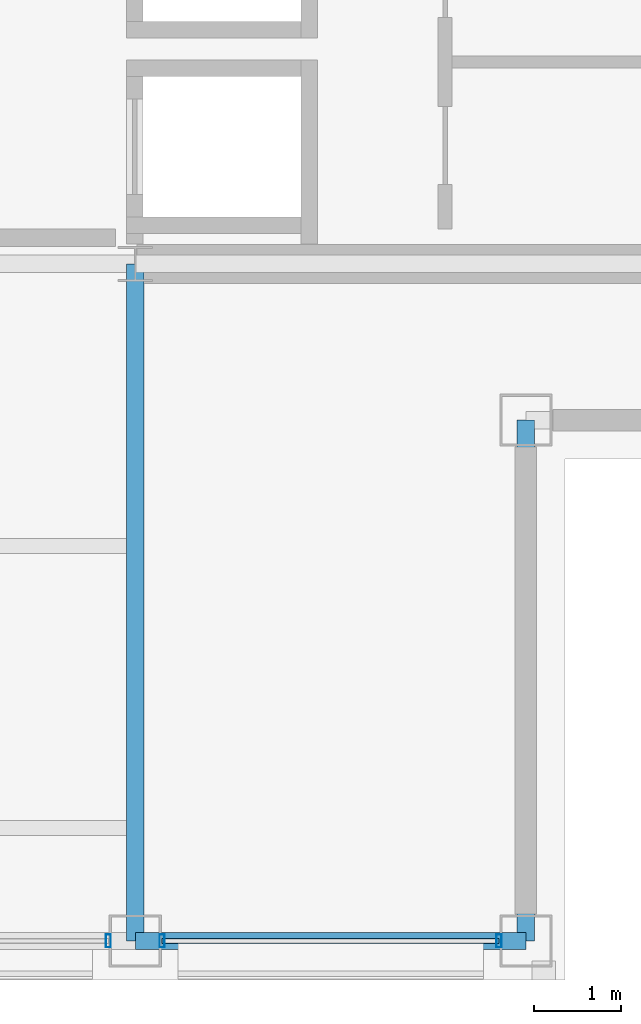
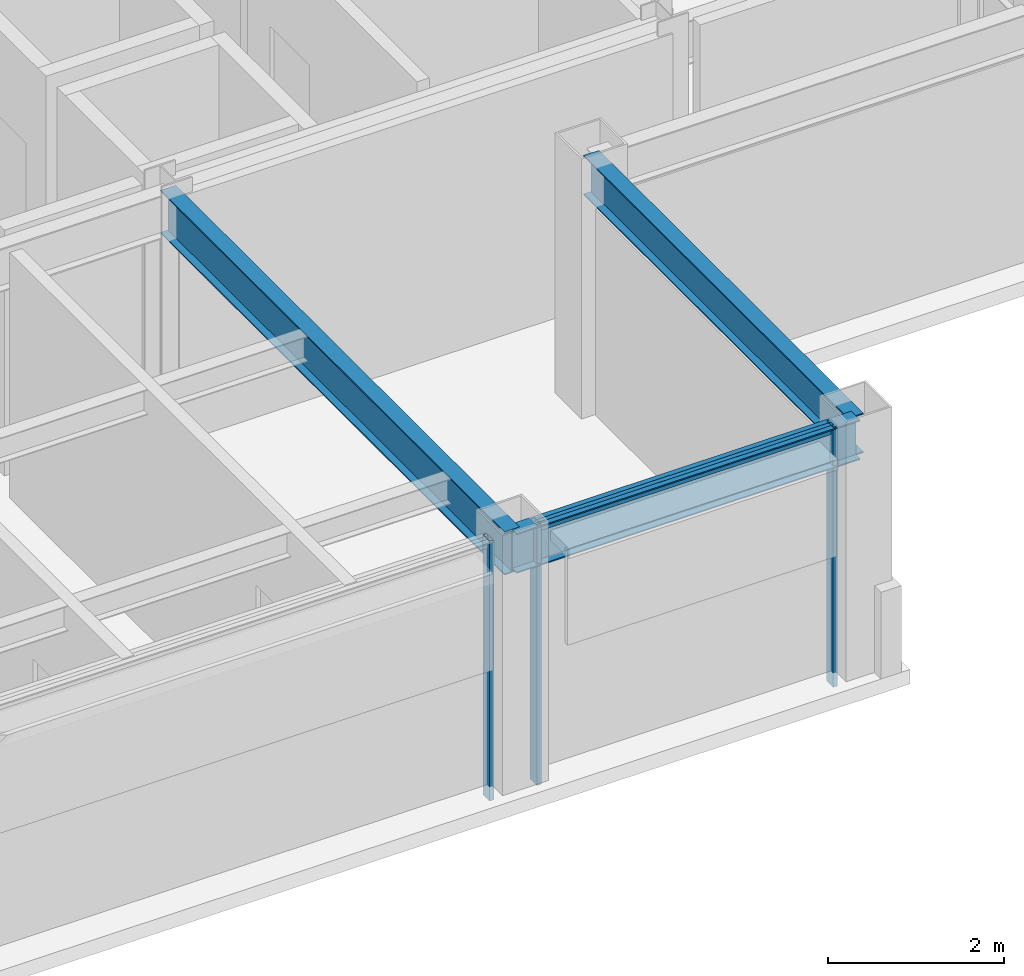
# One storey, part 4 of 20: 4 members, 3 beams, 2 elements without a shape of their own.
"""IFC4 building model written with IfcOpenShell, lengths in metres."""

from ifc_helpers import new_model, si_unit, direction, frame, origin, origin_2d, place, context, subcontext, project, spatial, hollow_rectangle, i_section, extrude, material, layer, layer_set, material_profile, profile_set, type_object, element, aggregate, save


model = new_model("IFC4")

# Units and contexts
model_context = context("Model", 3, precision=1e-05, world=origin(), true_north=direction((0.0, 1.0)))
body_context = subcontext(model_context, "Body", "Model", "MODEL_VIEW")
ifc_project = project(units=[si_unit("LENGTHUNIT", "METRE"), si_unit("AREAUNIT", "SQUARE_METRE"), si_unit("VOLUMEUNIT", "CUBIC_METRE"), si_unit("PLANEANGLEUNIT", "RADIAN"), si_unit("MASSUNIT", "GRAM", prefix="KILO")], contexts=[model_context])

# Site, building, storey
site_placement = place(None, origin())
site = spatial("IfcSite", under=ifc_project, at=site_placement, CompositionType="ELEMENT")
building_placement = place(site_placement, origin())
building = spatial("IfcBuilding", under=site, at=building_placement, Name="Brelmoor Portico Tower", CompositionType="ELEMENT")
storey_placement = place(building_placement, frame((0.0, 0.0, 272.39990234375)))
storey = spatial("IfcBuildingStorey", under=building, at=storey_placement, Name="L72", CompositionType="ELEMENT", Elevation=272.39990234375)

# Beams
ifc_material_1 = material(Name="Steel Q355B", Category="steel")
ifc_material_profile_1 = material_profile(ifc_material_1, i_section(OverallWidth=0.199951171875, OverallDepth=0.60009765625, WebThickness=0.010986328125, FlangeThickness=0.01708984375, at=origin_2d()), Name="HN 600x200x11x17")
ifc_profile_set_1 = profile_set([ifc_material_profile_1], Name="Steel Q355B")
beam_type_1 = type_object("IfcBeamType", Name="BM-PG-600", PredefinedType="BEAM", material=ifc_profile_set_1)
beam_1_placement = place(storey_placement, frame((8.050048828125, -17.550048828125, 3.10009765625), z_axis=(0.0, 1.0, 0.0), x_axis=(-1.0, 0.0, 0.0)))
element("IfcBeam", 1, at=beam_1_placement, inside=storey, type_object=beam_type_1, Name="L72 Primary Floor Girder PG-06", PredefinedType="BEAM", context=body_context, shape_type="SweptSolid", body=[
    extrude(i_section(OverallWidth=0.199951171875, OverallDepth=0.60009765625, WebThickness=0.010986328125, FlangeThickness=0.01708984375, at=origin_2d()), origin(), (0.0, 0.0, 1.0), 7.800048828125),
])
ifc_material_profile_2 = material_profile(ifc_material_1, i_section(OverallWidth=0.199951171875, OverallDepth=0.550048828125, WebThickness=0.010009765625, FlangeThickness=0.01611328125, at=origin_2d()), Name="HN 550x200x10x16")
ifc_profile_set_2 = profile_set([ifc_material_profile_2], Name="Steel Q355B")
beam_type_2 = type_object("IfcBeamType", Name="BM-SP-550", PredefinedType="SPANDREL", material=ifc_profile_set_2)
beam_2_placement = place(storey_placement, frame((8.050048828125, -17.550048828125, 3.125), z_axis=(1.0, 0.0, 0.0), x_axis=(0.0, 1.0, 0.0)))
element("IfcBeam", 2, at=beam_2_placement, inside=storey, type_object=beam_type_2, Name="L72 Perimeter Spandrel Beam SP-03", PredefinedType="SPANDREL", context=body_context, shape_type="SweptSolid", body=[
    extrude(i_section(OverallWidth=0.199951171875, OverallDepth=0.550048828125, WebThickness=0.010009765625, FlangeThickness=0.01611328125, at=origin_2d()), origin(), (0.0, 0.0, 1.0), 4.5),
])
beam_3_placement = place(storey_placement, frame((12.550048828125, -17.550048828125, 3.125), z_axis=(0.0, 1.0, 0.0), x_axis=(-1.0, 0.0, 0.0)))
element("IfcBeam", 3, at=beam_3_placement, inside=storey, type_object=beam_type_2, Name="L72 Perimeter Spandrel Beam SP-16", PredefinedType="SPANDREL", context=body_context, shape_type="SweptSolid", body=[
    extrude(i_section(OverallWidth=0.199951171875, OverallDepth=0.550048828125, WebThickness=0.010009765625, FlangeThickness=0.01611328125, at=origin_2d()), origin(), (0.0, 0.0, 1.0), 6.0),
])

# Curtain wall, member
ifc_material_2 = material(Name="Anodised Aluminium Alloy 6063-T6", Category="aluminium")
ifc_layer = layer(ifc_material_2, 0.179931640625)
ifc_layer_set = layer_set([ifc_layer], Name="Anodised Aluminium Alloy 6063-T6")
curtain_wall_type = type_object("IfcCurtainWallType", Name="CW-TOWER-Z4-XB", PredefinedType="NOTDEFINED", material=ifc_layer_set)
curtain_wall_1_placement = place(storey_placement, origin())
curtain_wall_1 = element("IfcCurtainWall", 4, at=curtain_wall_1_placement, inside=storey, type_object=curtain_wall_type, Name="L72 Curtain Wall CW-L72-01-2", PredefinedType="NOTDEFINED")
ifc_material_profile_3 = material_profile(ifc_material_2, hollow_rectangle(XDim=0.06005859375, YDim=0.14990234375, WallThickness=0.00390625, at=origin_2d()), Name="ALU MULLION 60x150")
ifc_profile_set_3 = profile_set([ifc_material_profile_3], Name="Anodised Aluminium Alloy 6063-T6")
member_type_1 = type_object("IfcMemberType", Name="MB-CW-MULL-150", PredefinedType="MULLION", material=ifc_profile_set_3)
member_1_placement = place(storey_placement, frame((7.739990234375, -17.550048828125, -0.199951171875), z_axis=(0.0, 0.0, 1.0), x_axis=(1.0, 0.0, 0.0)))
member_1 = element("IfcMember", 5, at=member_1_placement, type_object=member_type_1, Name="CW-L72-01-2 Mullion 01", PredefinedType="MULLION", context=body_context, shape_type="SweptSolid", body=[
    extrude(hollow_rectangle(XDim=0.06005859375, YDim=0.14990234375, WallThickness=0.00390625, at=origin_2d()), origin(), (0.0, 0.0, 1.0), 3.60009765625),
])
aggregate(curtain_wall_1, [member_1])

# Curtain wall, members
curtain_wall_2_placement = place(storey_placement, origin())
curtain_wall_2 = element("IfcCurtainWall", 6, at=curtain_wall_2_placement, inside=storey, type_object=curtain_wall_type, Name="L72 Curtain Wall CW-L72-01-3", PredefinedType="NOTDEFINED")
member_2_placement = place(storey_placement, frame((8.360107421875, -17.550048828125, -0.199951171875), z_axis=(0.0, 0.0, 1.0), x_axis=(1.0, 0.0, 0.0)))
member_2 = element("IfcMember", 7, at=member_2_placement, type_object=member_type_1, Name="CW-L72-01-3 Mullion 00", PredefinedType="MULLION", context=body_context, shape_type="SweptSolid", body=[
    extrude(hollow_rectangle(XDim=0.06005859375, YDim=0.14990234375, WallThickness=0.00390625, at=origin_2d()), origin(), (0.0, 0.0, 1.0), 3.60009765625),
])
member_3_placement = place(storey_placement, frame((12.239990234375, -17.550048828125, -0.199951171875), z_axis=(0.0, 0.0, 1.0), x_axis=(1.0, 0.0, 0.0)))
member_3 = element("IfcMember", 8, at=member_3_placement, type_object=member_type_1, Name="CW-L72-01-3 Mullion 01", PredefinedType="MULLION", context=body_context, shape_type="SweptSolid", body=[
    extrude(hollow_rectangle(XDim=0.06005859375, YDim=0.14990234375, WallThickness=0.00390625, at=origin_2d()), origin(), (0.0, 0.0, 1.0), 3.60009765625),
])
ifc_material_profile_4 = material_profile(ifc_material_2, hollow_rectangle(XDim=0.06005859375, YDim=0.125, WallThickness=0.00341796875, at=origin_2d()), Name="ALU TRANSOM 60x125")
ifc_profile_set_4 = profile_set([ifc_material_profile_4], Name="Anodised Aluminium Alloy 6063-T6")
member_type_2 = type_object("IfcMemberType", Name="MB-CW-TRAN-125", PredefinedType="USERDEFINED", material=ifc_profile_set_4)
member_4_placement = place(storey_placement, frame((8.360107421875, -17.550048828125, 3.337646484375), z_axis=(1.0, 0.0, 0.0), x_axis=(0.0, 1.0, 0.0)))
member_4 = element("IfcMember", 9, at=member_4_placement, type_object=member_type_2, Name="CW-L72-01-3 Transom 1-00", ObjectType="TRANSOM", PredefinedType="USERDEFINED", context=body_context, shape_type="SweptSolid", body=[
    extrude(hollow_rectangle(XDim=0.06005859375, YDim=0.125, WallThickness=0.00341796875, at=origin_2d()), origin(), (0.0, 0.0, 1.0), 3.8798828125),
])
aggregate(curtain_wall_2, [member_2, member_3, member_4])

save(model, "model.ifc")
